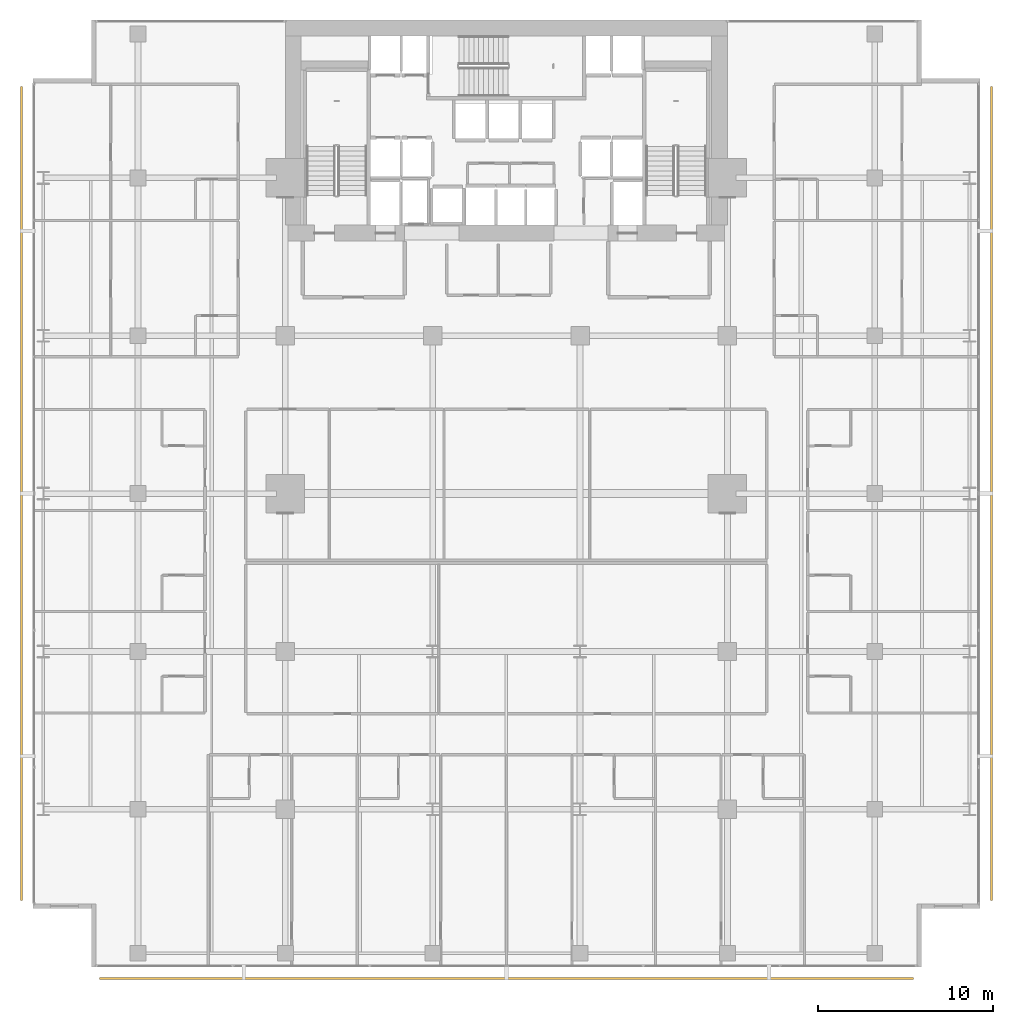
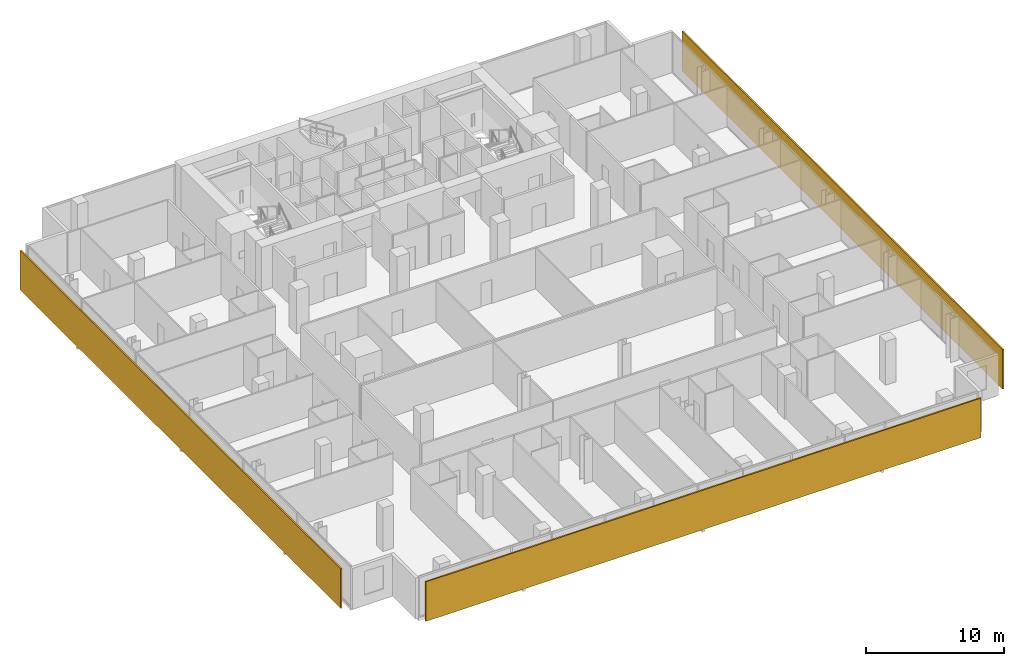
# One storey, part 39 of 40: 3 shading devices.
"""IFC4 building model written with IfcOpenShell, lengths in metres."""

from ifc_helpers import new_model, si_unit, direction, frame, origin, origin_2d, place, context, subcontext, project, spatial, rectangle, extrude, material, layer, layer_set, type_object, element, save


model = new_model("IFC4")

# Units and contexts
model_context = context("Model", 3, precision=1e-05, world=origin(), true_north=direction((0.0, 1.0)))
body_context = subcontext(model_context, "Body", "Model", "MODEL_VIEW")
ifc_project = project(units=[si_unit("LENGTHUNIT", "METRE"), si_unit("AREAUNIT", "SQUARE_METRE"), si_unit("VOLUMEUNIT", "CUBIC_METRE"), si_unit("PLANEANGLEUNIT", "RADIAN"), si_unit("MASSUNIT", "GRAM", prefix="KILO")], contexts=[model_context])

# Site, building, storey
site_placement = place(None, origin())
site = spatial("IfcSite", under=ifc_project, at=site_placement, CompositionType="ELEMENT")
building_placement = place(site_placement, origin())
building = spatial("IfcBuilding", under=site, at=building_placement, Name="Maruvema Waterfront Hotel and Observation Tower", CompositionType="ELEMENT")
storey_placement = place(building_placement, frame((0.0, 0.0, 96.25)))
storey = spatial("IfcBuildingStorey", under=building, at=storey_placement, Name="L23", CompositionType="ELEMENT", Elevation=96.25)

# Shading devices
ifc_material = material(Name="Honed travertine stone and anodised architectural bronze", Category="masonry")
ifc_layer = layer(ifc_material, 0.1201171875, Name="Ventilated Outer Skin Cobogo Stone-and-Bronze Screen 120 mm")
ifc_layer_set = layer_set([ifc_layer], Name="Honed travertine stone and anodised architectural bronze")
shading_device_type = type_object("IfcShadingDeviceType", Name="Ventilated Outer Skin Cobogo Stone-and-Bronze Screen 120 mm", PredefinedType="USERDEFINED", material=ifc_layer_set)
for number, where, z_axis, x_axis, name in (
    (1, (37.800048828125, -0.64990234375, 0.06005859375), (0.0, 0.0, 1.0), (1.0, 0.0, 0.0), "L23 Ventilated Double-Skin Outer Cobogo Screen OS-L23-S"),
    (2, (65.449951171875, 27.0, 0.06005859375), (0.0, 0.0, 1.0), (0.0, 1.0, 0.0), "L23 Ventilated Double-Skin Outer Cobogo Screen OS-L23-E"),
    (3, (10.14990234375, 27.0, 0.06005859375), (0.0, 0.0, 1.0), (0.0, -1.0, 0.0), "L23 Ventilated Double-Skin Outer Cobogo Screen OS-L23-W"),
):
    element("IfcShadingDevice", number, at=place(storey_placement, frame(where, z_axis=z_axis, x_axis=x_axis)), inside=storey, type_object=shading_device_type, Name=name, ObjectType="OUTER SKIN SCREEN", PredefinedType="USERDEFINED", context=body_context, shape_type="SweptSolid", body=[
        extrude(rectangle(XDim=46.39990234375, YDim=0.1201171875, at=origin_2d()), origin(), (0.0, 0.0, 1.0), 3.489990234375),
    ])

save(model, "model.ifc")
